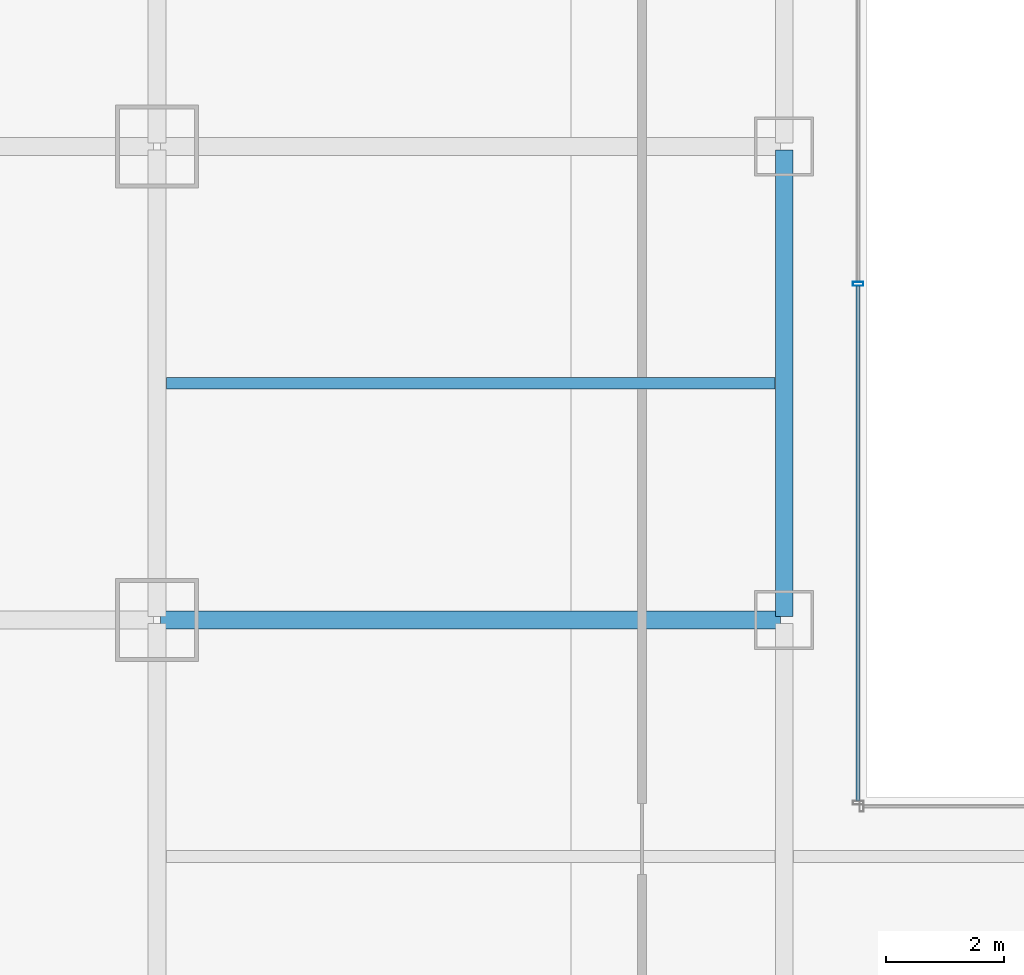
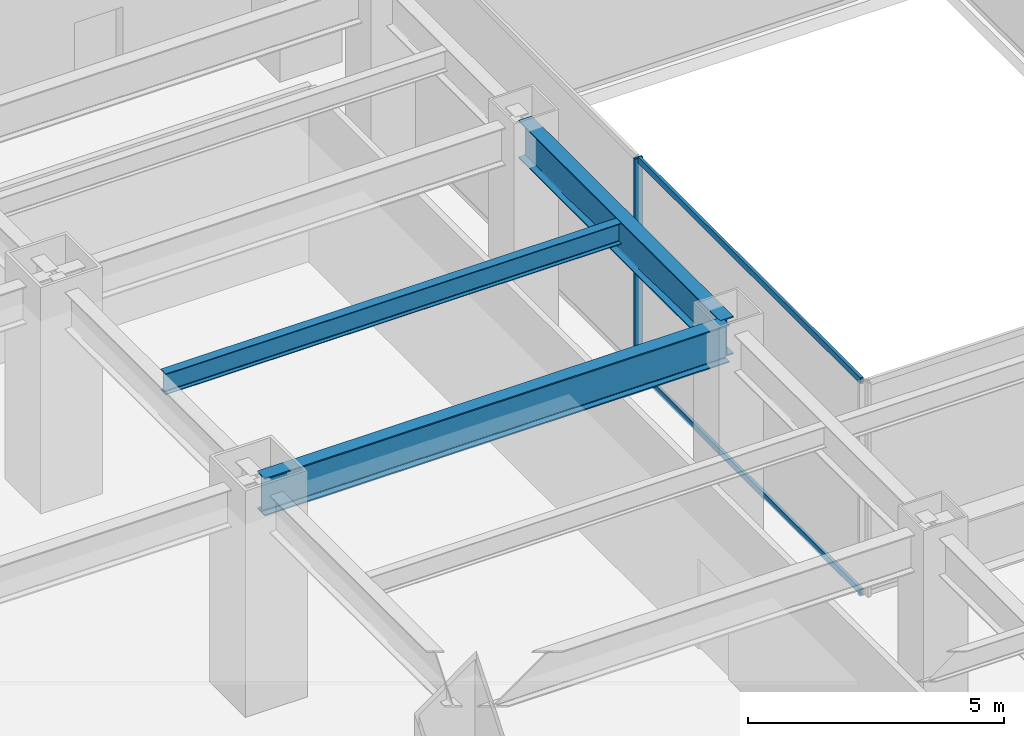
# One storey, part 13 of 51: 3 beams, 3 members, 1 element without a shape of its own.
"""IFC4 building model written with IfcOpenShell, lengths in metres."""

from ifc_helpers import new_model, si_unit, direction, frame, origin, origin_2d, place, context, subcontext, project, spatial, hollow_rectangle, i_section, extrude, material, material_profile, profile_set, type_object, element, aggregate, save


model = new_model("IFC4")

# Units and contexts
model_context = context("Model", 3, precision=1e-05, world=origin(), true_north=direction((0.0, 1.0)))
body_context = subcontext(model_context, "Body", "Model", "MODEL_VIEW")
ifc_project = project(units=[si_unit("LENGTHUNIT", "METRE"), si_unit("AREAUNIT", "SQUARE_METRE"), si_unit("VOLUMEUNIT", "CUBIC_METRE"), si_unit("PLANEANGLEUNIT", "RADIAN"), si_unit("MASSUNIT", "GRAM", prefix="KILO")], contexts=[model_context])

# Site, building, storey
site_placement = place(None, origin())
site = spatial("IfcSite", under=ifc_project, at=site_placement, CompositionType="ELEMENT")
building_placement = place(site_placement, origin())
building = spatial("IfcBuilding", under=site, at=building_placement, Name="Saevonmaru Cultural Tower", CompositionType="ELEMENT")
storey_placement = place(building_placement, frame((0.0, 0.0, 6.0)))
storey = spatial("IfcBuildingStorey", under=building, at=storey_placement, Name="L01", CompositionType="ELEMENT", Elevation=6.0)

# Beams
ifc_material_1 = material(Name="Steel SM420", Category="steel")
ifc_material_profile_1 = material_profile(ifc_material_1, i_section(OverallWidth=0.300048828125, OverallDepth=0.89990234375, WebThickness=0.01611328125, FlangeThickness=0.028076171875, FilletRadius=0.028076171875, at=origin_2d()), Name="H-900x300x16x28")
ifc_profile_set_1 = profile_set([ifc_material_profile_1], Name="Steel SM420")
beam_type_1 = type_object("IfcBeamType", Name="BM-G-H900", PredefinedType="BEAM", material=ifc_profile_set_1)
beam_1_placement = place(storey_placement, frame((22.800048828125, 24.06005859375, 4.64990234375), z_axis=(0.0, 1.0, 0.0), x_axis=(-1.0, 0.0, 0.0)))
element("IfcBeam", 1, at=beam_1_placement, inside=storey, type_object=beam_type_1, Name="L01 Podium Girder NS2-4", PredefinedType="BEAM", context=body_context, shape_type="SweptSolid", body=[
    extrude(i_section(OverallWidth=0.300048828125, OverallDepth=0.89990234375, WebThickness=0.01611328125, FlangeThickness=0.028076171875, FilletRadius=0.028076171875, at=origin_2d()), origin(), (0.0, 0.0, 1.0), 7.8798828125),
])
beam_2_placement = place(storey_placement, frame((12.260009765625, 24.0, 4.64990234375), z_axis=(1.0, 0.0, 0.0), x_axis=(0.0, 1.0, 0.0)))
element("IfcBeam", 2, at=beam_2_placement, inside=storey, type_object=beam_type_1, Name="L01 Gallery Girder W-3", PredefinedType="BEAM", context=body_context, shape_type="SweptSolid", body=[
    extrude(i_section(OverallWidth=0.300048828125, OverallDepth=0.89990234375, WebThickness=0.01611328125, FlangeThickness=0.028076171875, FilletRadius=0.028076171875, at=origin_2d()), origin(), (0.0, 0.0, 1.0), 10.47998046875),
])
ifc_material_2 = material(Name="Steel SM355", Category="steel")
ifc_material_profile_2 = material_profile(ifc_material_2, i_section(OverallWidth=0.199951171875, OverallDepth=0.5, WebThickness=0.010009765625, FlangeThickness=0.01611328125, FilletRadius=0.02001953125, at=origin_2d()), Name="H-500x200x10x16")
ifc_profile_set_2 = profile_set([ifc_material_profile_2], Name="Steel SM355")
beam_type_2 = type_object("IfcBeamType", Name="BM-J-H500", PredefinedType="JOIST", material=ifc_profile_set_2)
beam_3_placement = place(storey_placement, frame((12.35791015625, 28.0, 4.85009765625), z_axis=(1.0, 0.0, 0.0), x_axis=(0.0, 1.0, 0.0)))
element("IfcBeam", 3, at=beam_3_placement, inside=storey, type_object=beam_type_2, Name="L01 Secondary Floor Joist JW-3", PredefinedType="JOIST", context=body_context, shape_type="SweptSolid", body=[
    extrude(i_section(OverallWidth=0.199951171875, OverallDepth=0.5, WebThickness=0.010009765625, FlangeThickness=0.01611328125, FilletRadius=0.02001953125, at=origin_2d()), origin(), (0.0, 0.0, 1.0), 10.2841796875),
])

# Curtain wall, members
ifc_material_3 = material(Name="Satin Bronze Anodised Aluminium", Category="aluminium")
curtain_wall_type = type_object("IfcCurtainWallType", Name="CW-ATR-GLZ", PredefinedType="NOTDEFINED", material=ifc_material_3)
curtain_wall_placement = place(storey_placement, origin())
curtain_wall = element("IfcCurtainWall", 4, at=curtain_wall_placement, inside=storey, type_object=curtain_wall_type, Name="L01 Vertical Atrium Glazed Smoke Screen 4", PredefinedType="NOTDEFINED")
ifc_material_profile_3 = material_profile(ifc_material_3, hollow_rectangle(XDim=0.06494140625, YDim=0.179931640625, WallThickness=0.00390625, at=origin_2d()), Name="ALU-MULL-180x65x4")
ifc_profile_set_3 = profile_set([ifc_material_profile_3], Name="Satin Bronze Anodised Aluminium")
member_type_1 = type_object("IfcMemberType", Name="ML-CW-INT-180x65", PredefinedType="MULLION", material=ifc_profile_set_3)
member_1_placement = place(storey_placement, frame((24.050048828125, 29.679931640625, 0.0), z_axis=(0.0, 0.0, 1.0), x_axis=(0.0, -1.0, 0.0)))
member_1 = element("IfcMember", 5, at=member_1_placement, type_object=member_type_1, Name="CW-ATR-L01-4 mullion 2", PredefinedType="MULLION", context=body_context, shape_type="SweptSolid", body=[
    extrude(hollow_rectangle(XDim=0.06494140625, YDim=0.179931640625, WallThickness=0.00390625, at=origin_2d()), origin(), (0.0, 0.0, 1.0), 5.10009765625),
])
ifc_material_profile_4 = material_profile(ifc_material_3, hollow_rectangle(XDim=0.06494140625, YDim=0.14990234375, WallThickness=0.00390625, at=origin_2d()), Name="ALU-TRAN-150x65x4")
ifc_profile_set_4 = profile_set([ifc_material_profile_4], Name="Satin Bronze Anodised Aluminium")
member_type_2 = type_object("IfcMemberType", Name="TR-CW-INT-150x65", PredefinedType="USERDEFINED", material=ifc_profile_set_4)
member_2_placement = place(storey_placement, frame((24.050048828125, 29.6474609375, 0.032470703125), z_axis=(0.0, -1.0, 0.0), x_axis=(1.0, 0.0, 0.0)))
member_2 = element("IfcMember", 6, at=member_2_placement, type_object=member_type_2, Name="CW-ATR-L01-4 transom 2.1", ObjectType="TRANSOM", PredefinedType="USERDEFINED", context=body_context, shape_type="SweptSolid", body=[
    extrude(hollow_rectangle(XDim=0.06494140625, YDim=0.14990234375, WallThickness=0.00390625, at=origin_2d()), origin(), (0.0, 0.0, 1.0), 8.705078125),
])
member_3_placement = place(storey_placement, frame((24.050048828125, 29.6474609375, 5.0673828125), z_axis=(0.0, -1.0, 0.0), x_axis=(1.0, 0.0, 0.0)))
member_3 = element("IfcMember", 7, at=member_3_placement, type_object=member_type_2, Name="CW-ATR-L01-4 transom 2.2", ObjectType="TRANSOM", PredefinedType="USERDEFINED", context=body_context, shape_type="SweptSolid", body=[
    extrude(hollow_rectangle(XDim=0.06494140625, YDim=0.14990234375, WallThickness=0.00390625, at=origin_2d()), origin(), (0.0, 0.0, 1.0), 8.705078125),
])
aggregate(curtain_wall, [member_1, member_2, member_3])

save(model, "model.ifc")
